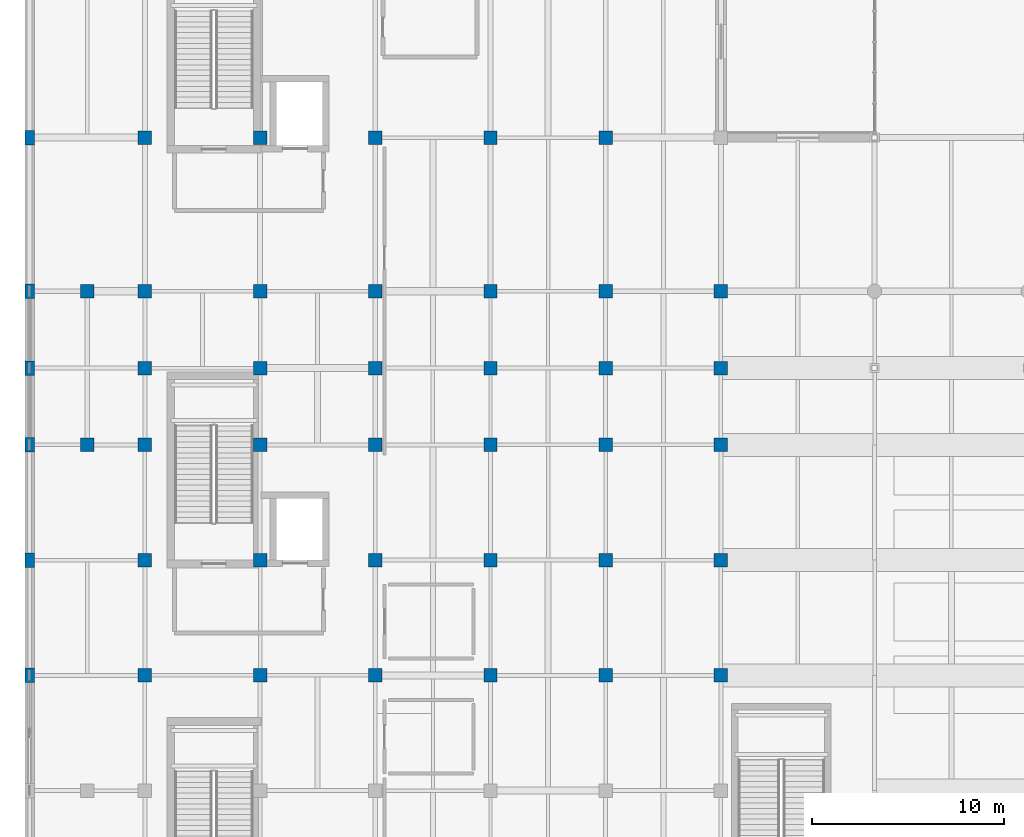
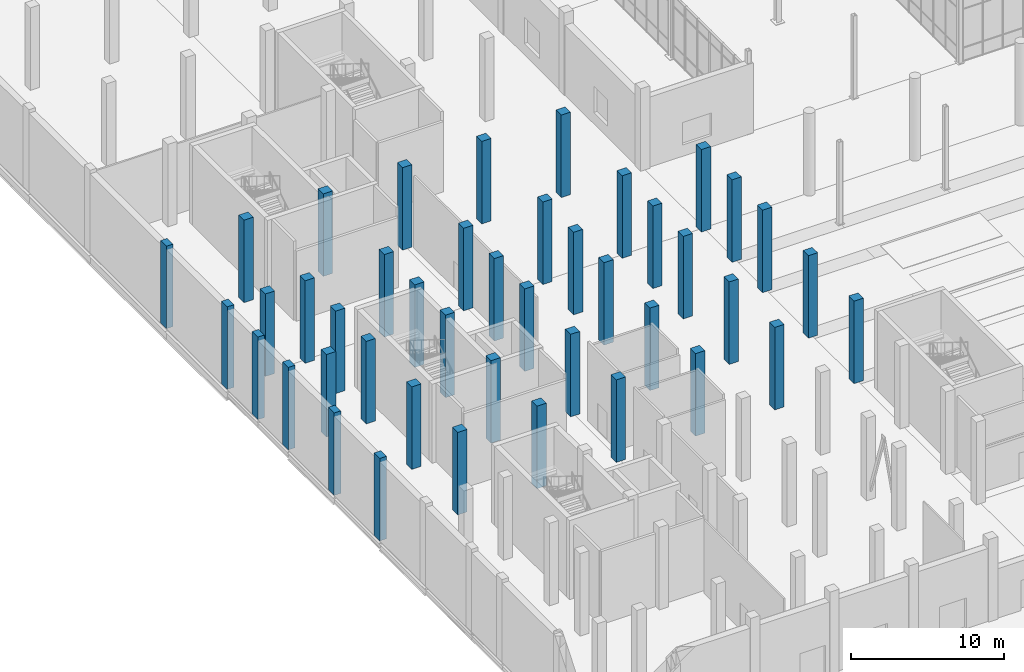
# One storey, part 3 of 140: 43 columns.
"""IFC4 building model written with IfcOpenShell, lengths in metres."""

from ifc_helpers import new_model, si_unit, direction, frame, origin, origin_2d, place, context, subcontext, project, spatial, rectangle, extrude, material, material_profile, profile_set, type_object, element, save


model = new_model("IFC4")

# Units and contexts
model_context = context("Model", 3, precision=1e-05, world=origin(), true_north=direction((0.0, 1.0)))
body_context = subcontext(model_context, "Body", "Model", "MODEL_VIEW")
ifc_project = project(units=[si_unit("LENGTHUNIT", "METRE"), si_unit("AREAUNIT", "SQUARE_METRE"), si_unit("VOLUMEUNIT", "CUBIC_METRE"), si_unit("PLANEANGLEUNIT", "RADIAN"), si_unit("MASSUNIT", "GRAM", prefix="KILO")], contexts=[model_context])

# Site, building, storey
site_placement = place(None, origin())
site = spatial("IfcSite", under=ifc_project, at=site_placement, CompositionType="ELEMENT")
building_placement = place(site_placement, origin())
building = spatial("IfcBuilding", under=site, at=building_placement, Name="Verrall Gate Interchange", CompositionType="ELEMENT")
storey_placement = place(building_placement, origin())
storey = spatial("IfcBuildingStorey", under=building, at=storey_placement, Name="L01", CompositionType="ELEMENT", Elevation=0.0)

# Columns
ifc_material_1 = material(Name="Concrete CSA A23.1 40 MPa (Class N)", Category="concrete")
ifc_material_profile_1 = material_profile(ifc_material_1, rectangle(XDim=0.699951171875, YDim=0.699951171875, at=origin_2d()), Name="RC700x700")
ifc_profile_set_1 = profile_set([ifc_material_profile_1], Name="Concrete CSA A23.1 40 MPa (Class N)")
column_type_1 = type_object("IfcColumnType", Name="C-03 Column RC700x700", PredefinedType="COLUMN", material=ifc_profile_set_1)
for number, where, z_axis, x_axis, name in (
    (1, (3.0, 40.0, 0.0), (0.0, 0.0, 1.0), (1.0, 0.0, 0.0), "L01 Column COL-L01-0117 (C-03)"),
    (2, (3.0, 48.0, 0.0), (0.0, 0.0, 1.0), (1.0, 0.0, 0.0), "L01 Column COL-L01-0124 (C-03)"),
    (3, (6.0, 28.0, 0.0), (0.0, 0.0, 1.0), (1.0, 0.0, 0.0), "L01 Column COL-L01-0174 (C-03)"),
    (4, (6.0, 34.0, 0.0), (0.0, 0.0, 1.0), (1.0, 0.0, 0.0), "L01 Column COL-L01-0183 (C-03)"),
    (5, (6.0, 40.0, 0.0), (0.0, 0.0, 1.0), (1.0, 0.0, 0.0), "L01 Column COL-L01-0192 (C-03)"),
    (6, (6.0, 44.0, 0.0), (0.0, 0.0, 1.0), (1.0, 0.0, 0.0), "L01 Column COL-L01-0201 (C-03)"),
    (7, (6.0, 48.0, 0.0), (0.0, 0.0, 1.0), (1.0, 0.0, 0.0), "L01 Column COL-L01-0210 (C-03)"),
    (8, (6.0, 56.0, 0.0), (0.0, 0.0, 1.0), (1.0, 0.0, 0.0), "L01 Column COL-L01-0218 (C-03)"),
    (9, (12.0, 28.0, 0.0), (0.0, 0.0, 1.0), (1.0, 0.0, 0.0), "L01 Column COL-L01-0291 (C-03)"),
    (10, (12.0, 34.0, 0.0), (0.0, 0.0, 1.0), (1.0, 0.0, 0.0), "L01 Column COL-L01-0300 (C-03)"),
    (11, (12.0, 40.0, 0.0), (0.0, 0.0, 1.0), (1.0, 0.0, 0.0), "L01 Column COL-L01-0309 (C-03)"),
    (12, (12.0, 44.0, 0.0), (0.0, 0.0, 1.0), (1.0, 0.0, 0.0), "L01 Column COL-L01-0318 (C-03)"),
    (13, (12.0, 48.0, 0.0), (0.0, 0.0, 1.0), (1.0, 0.0, 0.0), "L01 Column COL-L01-0327 (C-03)"),
    (14, (12.0, 56.0, 0.0), (0.0, 0.0, 1.0), (1.0, 0.0, 0.0), "L01 Column COL-L01-0335 (C-03)"),
    (15, (18.0, 28.0, 0.0), (0.0, 0.0, 1.0), (1.0, 0.0, 0.0), "L01 Column COL-L01-0408 (C-03)"),
    (16, (18.0, 34.0, 0.0), (0.0, 0.0, 1.0), (1.0, 0.0, 0.0), "L01 Column COL-L01-0417 (C-03)"),
    (17, (18.0, 40.0, 0.0), (0.0, 0.0, 1.0), (1.0, 0.0, 0.0), "L01 Column COL-L01-0426 (C-03)"),
    (18, (18.0, 44.0, 0.0), (0.0, 0.0, 1.0), (1.0, 0.0, 0.0), "L01 Column COL-L01-0435 (C-03)"),
    (19, (18.0, 48.0, 0.0), (0.0, 0.0, 1.0), (1.0, 0.0, 0.0), "L01 Column COL-L01-0444 (C-03)"),
    (20, (18.0, 56.0, 0.0), (0.0, 0.0, 1.0), (1.0, 0.0, 0.0), "L01 Column COL-L01-0452 (C-03)"),
    (21, (24.0, 28.0, 0.0), (0.0, 0.0, 1.0), (1.0, 0.0, 0.0), "L01 Column COL-L01-0525 (C-03)"),
    (22, (24.0, 34.0, 0.0), (0.0, 0.0, 1.0), (1.0, 0.0, 0.0), "L01 Column COL-L01-0534 (C-03)"),
    (23, (24.0, 40.0, 0.0), (0.0, 0.0, 1.0), (1.0, 0.0, 0.0), "L01 Column COL-L01-0543 (C-03)"),
    (24, (24.0, 44.0, 0.0), (0.0, 0.0, 1.0), (1.0, 0.0, 0.0), "L01 Column COL-L01-0552 (C-03)"),
    (25, (24.0, 48.0, 0.0), (0.0, 0.0, 1.0), (1.0, 0.0, 0.0), "L01 Column COL-L01-0561 (C-03)"),
    (26, (24.0, 56.0, 0.0), (0.0, 0.0, 1.0), (1.0, 0.0, 0.0), "L01 Column COL-L01-0569 (C-03)"),
    (27, (30.0, 28.0, 0.0), (0.0, 0.0, 1.0), (1.0, 0.0, 0.0), "L01 Column COL-L01-0642 (C-03)"),
    (28, (30.0, 34.0, 0.0), (0.0, 0.0, 1.0), (1.0, 0.0, 0.0), "L01 Column COL-L01-0651 (C-03)"),
    (29, (30.0, 40.0, 0.0), (0.0, 0.0, 1.0), (1.0, 0.0, 0.0), "L01 Column COL-L01-0660 (C-03)"),
    (30, (30.0, 44.0, 0.0), (0.0, 0.0, 1.0), (1.0, 0.0, 0.0), "L01 Column COL-L01-0669 (C-03)"),
    (31, (30.0, 48.0, 0.0), (0.0, 0.0, 1.0), (1.0, 0.0, 0.0), "L01 Column COL-L01-0678 (C-03)"),
    (32, (30.0, 56.0, 0.0), (0.0, 0.0, 1.0), (1.0, 0.0, 0.0), "L01 Column COL-L01-0686 (C-03)"),
    (33, (36.0, 28.0, 0.0), (0.0, 0.0, 1.0), (1.0, 0.0, 0.0), "L01 Column COL-L01-0756 (C-03)"),
    (34, (36.0, 34.0, 0.0), (0.0, 0.0, 1.0), (1.0, 0.0, 0.0), "L01 Column COL-L01-0764 (C-03)"),
    (35, (36.0, 40.0, 0.0), (0.0, 0.0, 1.0), (1.0, 0.0, 0.0), "L01 Column COL-L01-0772 (C-03)"),
    (36, (36.0, 44.0, 0.0), (0.0, 0.0, 1.0), (1.0, 0.0, 0.0), "L01 Column COL-L01-0780 (C-03)"),
    (37, (36.0, 48.0, 0.0), (0.0, 0.0, 1.0), (1.0, 0.0, 0.0), "L01 Column COL-L01-0788 (C-03)"),
):
    element("IfcColumn", number, at=place(storey_placement, frame(where, z_axis=z_axis, x_axis=x_axis)), inside=storey, type_object=column_type_1, Name=name, PredefinedType="COLUMN", context=body_context, shape_type="SweptSolid", body=[
        extrude(rectangle(XDim=0.699951171875, YDim=0.699951171875, at=origin_2d()), origin(), (0.0, 0.0, 1.0), 6.60009765625),
    ])
ifc_material_2 = material(Name="Concrete CSA A23.1 40 MPa (Class C-1)", Category="concrete")
ifc_material_profile_2 = material_profile(ifc_material_2, rectangle(XDim=0.5, YDim=0.75, at=origin_2d()), Name="RC500x750")
ifc_profile_set_2 = profile_set([ifc_material_profile_2], Name="Concrete CSA A23.1 40 MPa (Class C-1)")
column_type_2 = type_object("IfcColumnType", Name="C-05 Pilaster RC500x750", PredefinedType="PILASTER", material=ifc_profile_set_2)
for number, where, z_axis, x_axis, name in (
    (38, (0.0, 28.0, 0.0), (0.0, 0.0, 1.0), (1.0, 0.0, 0.0), "L01 Column COL-L01-0039 (C-05)"),
    (39, (0.0, 34.0, 0.0), (0.0, 0.0, 1.0), (1.0, 0.0, 0.0), "L01 Column COL-L01-0046 (C-05)"),
    (40, (0.0, 40.0, 0.0), (0.0, 0.0, 1.0), (1.0, 0.0, 0.0), "L01 Column COL-L01-0053 (C-05)"),
    (41, (0.0, 44.0, 0.0), (0.0, 0.0, 1.0), (1.0, 0.0, 0.0), "L01 Column COL-L01-0060 (C-05)"),
    (42, (0.0, 48.0, 0.0), (0.0, 0.0, 1.0), (1.0, 0.0, 0.0), "L01 Column COL-L01-0067 (C-05)"),
    (43, (0.0, 56.0, 0.0), (0.0, 0.0, 1.0), (1.0, 0.0, 0.0), "L01 Column COL-L01-0074 (C-05)"),
):
    element("IfcColumn", number, at=place(storey_placement, frame(where, z_axis=z_axis, x_axis=x_axis)), inside=storey, type_object=column_type_2, Name=name, PredefinedType="PILASTER", context=body_context, shape_type="SweptSolid", body=[
        extrude(rectangle(XDim=0.5, YDim=0.75, at=origin_2d()), origin(), (0.0, 0.0, 1.0), 6.60009765625),
    ])

save(model, "model.ifc")
